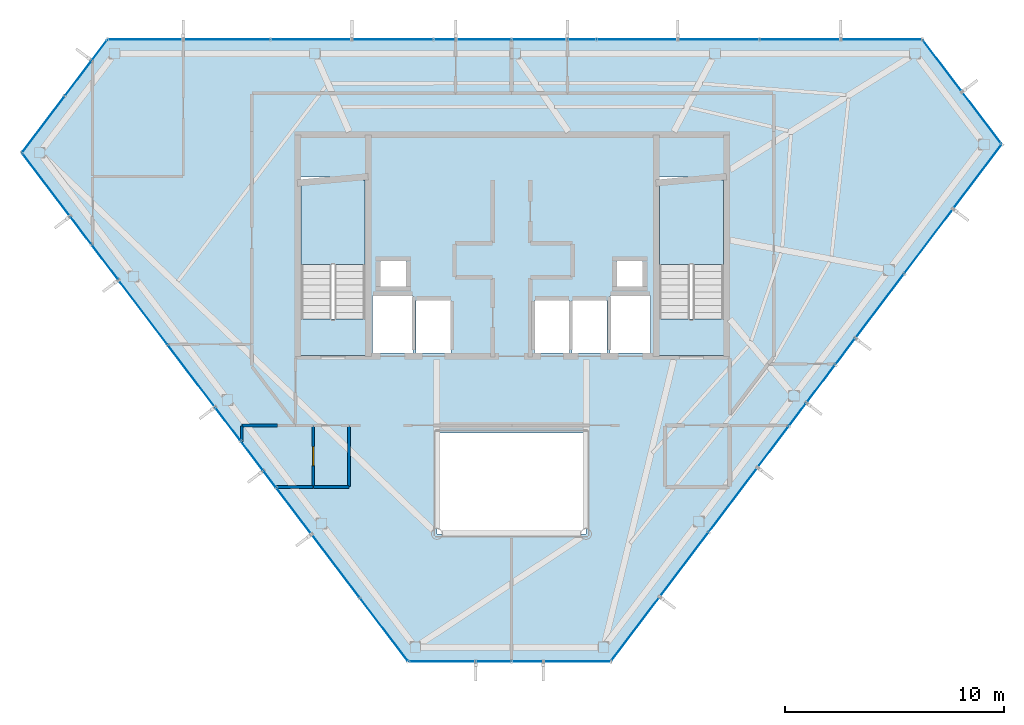
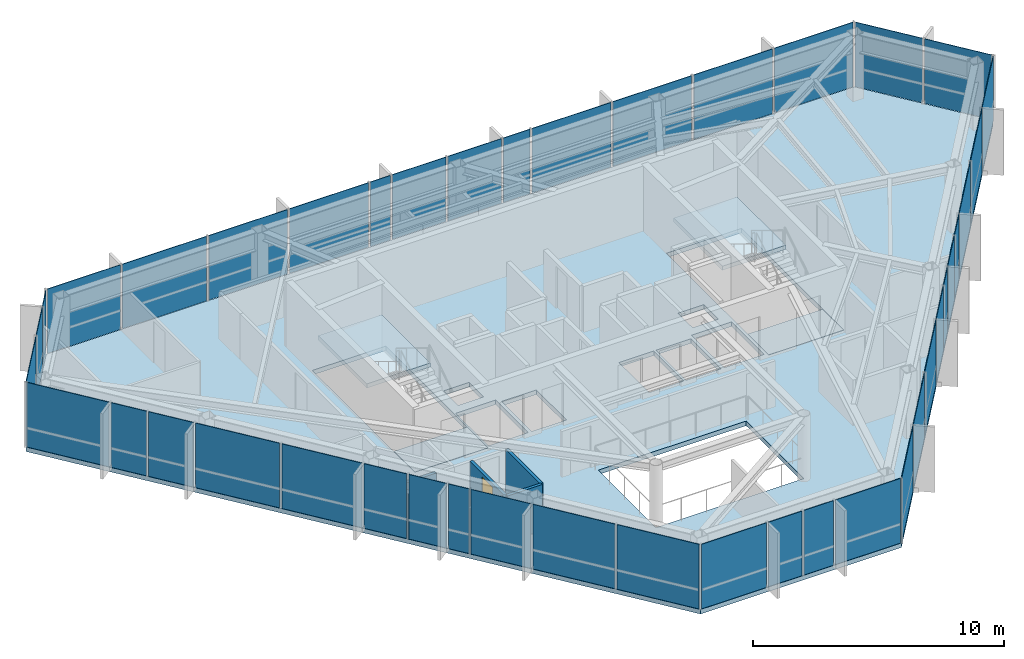
# One storey, part 20 of 24: 42 plates, 6 walls, 5 slabs, 1 door, 1 opening, 8 elements without a shape of their own.
"""IFC4 building model written with IfcOpenShell, lengths in metres."""

from ifc_helpers import new_model, si_unit, direction, frame, frame_2d, origin, origin_2d, place, context, subcontext, project, spatial, polyline, rectangle, outline, extrude, material, layer, layer_set, type_object, element, fill, aggregate, save


model = new_model("IFC4")

# Units and contexts
model_context = context("Model", 3, precision=1e-05, world=origin(), true_north=direction((0.0, 1.0)))
body_context = subcontext(model_context, "Body", "Model", "MODEL_VIEW")
ifc_project = project(units=[si_unit("LENGTHUNIT", "METRE"), si_unit("AREAUNIT", "SQUARE_METRE"), si_unit("VOLUMEUNIT", "CUBIC_METRE"), si_unit("PLANEANGLEUNIT", "RADIAN"), si_unit("MASSUNIT", "GRAM", prefix="KILO")], contexts=[model_context])

# Site, building, storey
site_placement = place(None, origin())
site = spatial("IfcSite", under=ifc_project, at=site_placement, CompositionType="ELEMENT")
building_placement = place(site_placement, origin())
building = spatial("IfcBuilding", under=site, at=building_placement, Name="Zarrinselat Tower", CompositionType="ELEMENT")
storey_placement = place(building_placement, frame((0.0, 0.0, 272.0)))
storey = spatial("IfcBuildingStorey", under=building, at=storey_placement, Name="L69", CompositionType="ELEMENT", Elevation=272.0)

# Curtain wall, plates
ifc_material_1 = material(Name="Extruded Aluminium Alloy EN AW-6063 T6", Category="aluminium")
ifc_layer_1 = layer(ifc_material_1, 0.169921875)
ifc_layer_set_1 = layer_set([ifc_layer_1], Name="Extruded Aluminium Alloy EN AW-6063 T6")
curtain_wall_type_1 = type_object("IfcCurtainWallType", Name="CWS-RES", PredefinedType="NOTDEFINED", material=ifc_layer_set_1)
curtain_wall_1_placement = place(storey_placement, origin())
curtain_wall_1 = element("IfcCurtainWall", 1, at=curtain_wall_1_placement, inside=storey, type_object=curtain_wall_type_1, Name="L69 Unitised Curtain Wall CW-L69-E01", PredefinedType="NOTDEFINED")
ifc_material_2 = material(Name="Double Low-E Laminated Solar Glass", Category="glass")
ifc_layer_2 = layer(ifc_material_2, 0.028076171875)
ifc_layer_set_2 = layer_set([ifc_layer_2], Name="Double Low-E Laminated Solar Glass")
plate_type = type_object("IfcPlateType", Name="PLT-CW-GL28", PredefinedType="CURTAIN_PANEL", material=ifc_layer_set_2)
plate_1_placement = place(storey_placement, frame((55.26904296875, 47.75, 0.02001953125), z_axis=(0.0, 0.0, 1.0), x_axis=(-1.0, 0.0, 0.0)))
plate_1 = element("IfcPlate", 2, at=plate_1_placement, type_object=plate_type, Name="CW-L69-E01 Vision Glass Panel 1", PredefinedType="CURTAIN_PANEL", context=body_context, shape_type="SweptSolid", body=[
    extrude(rectangle(XDim=3.6142578125, YDim=0.028076171875, at=origin_2d()), origin(), (0.0, 0.0, 1.0), 3.139892578125),
])
plate_2_placement = place(storey_placement, frame((51.5546875, 47.75, 0.02001953125), z_axis=(0.0, 0.0, 1.0), x_axis=(-1.0, 0.0, 0.0)))
plate_2 = element("IfcPlate", 3, at=plate_2_placement, type_object=plate_type, Name="CW-L69-E01 Vision Glass Panel 2", PredefinedType="CURTAIN_PANEL", context=body_context, shape_type="SweptSolid", body=[
    extrude(rectangle(XDim=3.6142578125, YDim=0.028076171875, at=origin_2d()), origin(), (0.0, 0.0, 1.0), 3.139892578125),
])
plate_3_placement = place(storey_placement, frame((47.840576171875, 47.75, 0.02001953125), z_axis=(0.0, 0.0, 1.0), x_axis=(-1.0, 0.0, 0.0)))
plate_3 = element("IfcPlate", 4, at=plate_3_placement, type_object=plate_type, Name="CW-L69-E01 Vision Glass Panel 3", PredefinedType="CURTAIN_PANEL", context=body_context, shape_type="SweptSolid", body=[
    extrude(rectangle(XDim=3.6142578125, YDim=0.028076171875, at=origin_2d()), origin(), (0.0, 0.0, 1.0), 3.139892578125),
])
plate_4_placement = place(storey_placement, frame((44.12646484375, 47.75, 0.02001953125), z_axis=(0.0, 0.0, 1.0), x_axis=(-1.0, 0.0, 0.0)))
plate_4 = element("IfcPlate", 5, at=plate_4_placement, type_object=plate_type, Name="CW-L69-E01 Vision Glass Panel 4", PredefinedType="CURTAIN_PANEL", context=body_context, shape_type="SweptSolid", body=[
    extrude(rectangle(XDim=3.6142578125, YDim=0.028076171875, at=origin_2d()), origin(), (0.0, 0.0, 1.0), 3.139892578125),
])
plate_5_placement = place(storey_placement, frame((41.609619140625, 47.75, 0.02001953125), z_axis=(0.0, 0.0, 1.0), x_axis=(-1.0, 0.0, 0.0)))
plate_5 = element("IfcPlate", 6, at=plate_5_placement, type_object=plate_type, Name="CW-L69-E01 Vision Glass Panel 5", PredefinedType="CURTAIN_PANEL", context=body_context, shape_type="SweptSolid", body=[
    extrude(rectangle(XDim=1.21923828125, YDim=0.028076171875, at=origin_2d()), origin(), (0.0, 0.0, 1.0), 3.139892578125),
])
plate_6_placement = place(storey_placement, frame((39.675048828125, 47.75, 0.02001953125), z_axis=(0.0, 0.0, 1.0), x_axis=(-1.0, 0.0, 0.0)))
plate_6 = element("IfcPlate", 7, at=plate_6_placement, type_object=plate_type, Name="CW-L69-E01 Vision Glass Panel 6", PredefinedType="CURTAIN_PANEL", context=body_context, shape_type="SweptSolid", body=[
    extrude(rectangle(XDim=2.449951171875, YDim=0.028076171875, at=origin_2d()), origin(), (0.0, 0.0, 1.0), 3.139892578125),
])
plate_7_placement = place(storey_placement, frame((37.125, 47.75, 0.02001953125), z_axis=(0.0, 0.0, 1.0), x_axis=(-1.0, 0.0, 0.0)))
plate_7 = element("IfcPlate", 8, at=plate_7_placement, type_object=plate_type, Name="CW-L69-E01 Vision Glass Panel 7", PredefinedType="CURTAIN_PANEL", context=body_context, shape_type="SweptSolid", body=[
    extrude(rectangle(XDim=2.449951171875, YDim=0.028076171875, at=origin_2d()), origin(), (0.0, 0.0, 1.0), 3.139892578125),
])
plate_8_placement = place(storey_placement, frame((35.345458984375, 47.75, 0.02001953125), z_axis=(0.0, 0.0, 1.0), x_axis=(-1.0, 0.0, 0.0)))
plate_8 = element("IfcPlate", 9, at=plate_8_placement, type_object=plate_type, Name="CW-L69-E01 Vision Glass Panel 8", PredefinedType="CURTAIN_PANEL", context=body_context, shape_type="SweptSolid", body=[
    extrude(rectangle(XDim=0.9091796875, YDim=0.028076171875, at=origin_2d()), origin(), (0.0, 0.0, 1.0), 3.139892578125),
])
plate_9_placement = place(storey_placement, frame((32.983642578125, 47.75, 0.02001953125), z_axis=(0.0, 0.0, 1.0), x_axis=(-1.0, 0.0, 0.0)))
plate_9 = element("IfcPlate", 10, at=plate_9_placement, type_object=plate_type, Name="CW-L69-E01 Vision Glass Panel 9", PredefinedType="CURTAIN_PANEL", context=body_context, shape_type="SweptSolid", body=[
    extrude(rectangle(XDim=3.6142578125, YDim=0.028076171875, at=origin_2d()), origin(), (0.0, 0.0, 1.0), 3.139892578125),
])
plate_10_placement = place(storey_placement, frame((29.269287109375, 47.75, 0.02001953125), z_axis=(0.0, 0.0, 1.0), x_axis=(-1.0, 0.0, 0.0)))
plate_10 = element("IfcPlate", 11, at=plate_10_placement, type_object=plate_type, Name="CW-L69-E01 Vision Glass Panel 10", PredefinedType="CURTAIN_PANEL", context=body_context, shape_type="SweptSolid", body=[
    extrude(rectangle(XDim=3.6142578125, YDim=0.028076171875, at=origin_2d()), origin(), (0.0, 0.0, 1.0), 3.139892578125),
])
plate_11_placement = place(storey_placement, frame((25.42578125, 47.75, 0.02001953125), z_axis=(0.0, 0.0, 1.0), x_axis=(-1.0, 0.0, 0.0)))
plate_11 = element("IfcPlate", 12, at=plate_11_placement, type_object=plate_type, Name="CW-L69-E01 Vision Glass Panel 11", PredefinedType="CURTAIN_PANEL", context=body_context, shape_type="SweptSolid", body=[
    extrude(rectangle(XDim=3.873046875, YDim=0.028076171875, at=origin_2d()), origin(), (0.0, 0.0, 1.0), 3.139892578125),
])
plate_12_placement = place(storey_placement, frame((21.71142578125, 47.75, 0.02001953125), z_axis=(0.0, 0.0, 1.0), x_axis=(-1.0, 0.0, 0.0)))
plate_12 = element("IfcPlate", 13, at=plate_12_placement, type_object=plate_type, Name="CW-L69-E01 Vision Glass Panel 12", PredefinedType="CURTAIN_PANEL", context=body_context, shape_type="SweptSolid", body=[
    extrude(rectangle(XDim=3.35546875, YDim=0.028076171875, at=origin_2d()), origin(), (0.0, 0.0, 1.0), 3.139892578125),
])
aggregate(curtain_wall_1, [plate_1, plate_2, plate_3, plate_4, plate_5, plate_6, plate_7, plate_8, plate_9, plate_10, plate_11, plate_12])

curtain_wall_2_placement = place(storey_placement, origin())
curtain_wall_2 = element("IfcCurtainWall", 14, at=curtain_wall_2_placement, inside=storey, type_object=curtain_wall_type_1, Name="L69 Unitised Curtain Wall CW-L69-E02", PredefinedType="NOTDEFINED")
plate_13_placement = place(storey_placement, frame((19.619140625, 47.267822265625, 0.02001953125), z_axis=(0.0, 0.0, 1.0), x_axis=(-0.603180355329, -0.797604826305, 0.0)))
plate_13 = element("IfcPlate", 15, at=plate_13_placement, type_object=plate_type, Name="CW-L69-E02 Vision Glass Panel 1", PredefinedType="CURTAIN_PANEL", context=body_context, shape_type="SweptSolid", body=[
    extrude(rectangle(XDim=1.109130859375, YDim=0.028076171875, at=origin_2d()), origin(), (0.0, 0.0, 1.0), 3.139892578125),
])
plate_14_placement = place(storey_placement, frame((18.64208984375, 45.9755859375, 0.02001953125), z_axis=(0.0, 0.0, 1.0), x_axis=(-0.603180355329, -0.797604826305, 0.0)))
plate_14 = element("IfcPlate", 16, at=plate_14_placement, type_object=plate_type, Name="CW-L69-E02 Vision Glass Panel 2", PredefinedType="CURTAIN_PANEL", context=body_context, shape_type="SweptSolid", body=[
    extrude(rectangle(XDim=1.930908203125, YDim=0.028076171875, at=origin_2d()), origin(), (0.0, 0.0, 1.0), 3.139892578125),
])
plate_15_placement = place(storey_placement, frame((17.05224609375, 43.87353515625, 0.02001953125), z_axis=(0.0, 0.0, 1.0), x_axis=(-0.603180355329, -0.797604826305, 0.0)))
plate_15 = element("IfcPlate", 17, at=plate_15_placement, type_object=plate_type, Name="CW-L69-E02 Vision Glass Panel 3", PredefinedType="CURTAIN_PANEL", context=body_context, shape_type="SweptSolid", body=[
    extrude(rectangle(XDim=3.14013671875, YDim=0.028076171875, at=origin_2d()), origin(), (0.0, 0.0, 1.0), 3.139892578125),
])
aggregate(curtain_wall_2, [plate_13, plate_14, plate_15])

curtain_wall_3_placement = place(storey_placement, origin())
curtain_wall_3 = element("IfcCurtainWall", 18, at=curtain_wall_3_placement, inside=storey, type_object=curtain_wall_type_1, Name="L69 Unitised Curtain Wall CW-L69-E03", PredefinedType="NOTDEFINED")
plate_16_placement = place(storey_placement, frame((17.17578125, 41.1318359375, 0.02001953125), z_axis=(0.0, 0.0, 1.0), x_axis=(0.604787567266, -0.796386839721, 0.0)))
plate_16 = element("IfcPlate", 19, at=plate_16_placement, type_object=plate_type, Name="CW-L69-E03 Vision Glass Panel 1", PredefinedType="CURTAIN_PANEL", context=body_context, shape_type="SweptSolid", body=[
    extrude(rectangle(XDim=3.540283203125, YDim=0.028076171875, at=origin_2d()), origin(), (0.0, 0.0, 1.0), 3.139892578125),
])
plate_17_placement = place(storey_placement, frame((18.765625, 39.03857421875, 0.02001953125), z_axis=(0.0, 0.0, 1.0), x_axis=(0.604787567266, -0.796386839721, 0.0)))
plate_17 = element("IfcPlate", 20, at=plate_17_placement, type_object=plate_type, Name="CW-L69-E03 Vision Glass Panel 2", PredefinedType="CURTAIN_PANEL", context=body_context, shape_type="SweptSolid", body=[
    extrude(rectangle(XDim=1.5166015625, YDim=0.028076171875, at=origin_2d()), origin(), (0.0, 0.0, 1.0), 3.139892578125),
])
plate_18_placement = place(storey_placement, frame((19.866455078125, 37.5888671875, 0.02001953125), z_axis=(0.0, 0.0, 1.0), x_axis=(0.604787567266, -0.796386839721, 0.0)))
plate_18 = element("IfcPlate", 21, at=plate_18_placement, type_object=plate_type, Name="CW-L69-E03 Vision Glass Panel 3", PredefinedType="CURTAIN_PANEL", context=body_context, shape_type="SweptSolid", body=[
    extrude(rectangle(XDim=1.923583984375, YDim=0.028076171875, at=origin_2d()), origin(), (0.0, 0.0, 1.0), 3.139892578125),
])
plate_19_placement = place(storey_placement, frame((21.605712890625, 35.298583984375, 0.02001953125), z_axis=(0.0, 0.0, 1.0), x_axis=(0.604787567266, -0.796386839721, 0.0)))
plate_19 = element("IfcPlate", 22, at=plate_19_placement, type_object=plate_type, Name="CW-L69-E03 Vision Glass Panel 4", PredefinedType="CURTAIN_PANEL", context=body_context, shape_type="SweptSolid", body=[
    extrude(rectangle(XDim=3.628173828125, YDim=0.028076171875, at=origin_2d()), origin(), (0.0, 0.0, 1.0), 3.139892578125),
])
plate_20_placement = place(storey_placement, frame((23.8076171875, 32.3994140625, 0.02001953125), z_axis=(0.0, 0.0, 1.0), x_axis=(0.604787567266, -0.796386839721, 0.0)))
plate_20 = element("IfcPlate", 23, at=plate_20_placement, type_object=plate_type, Name="CW-L69-E03 Vision Glass Panel 5", PredefinedType="CURTAIN_PANEL", context=body_context, shape_type="SweptSolid", body=[
    extrude(rectangle(XDim=3.45263671875, YDim=0.028076171875, at=origin_2d()), origin(), (0.0, 0.0, 1.0), 3.139892578125),
])
plate_21_placement = place(storey_placement, frame((25.467041015625, 30.214111328125, 0.02001953125), z_axis=(0.0, 0.0, 1.0), x_axis=(0.604787567266, -0.796386839721, 0.0)))
plate_21 = element("IfcPlate", 24, at=plate_21_placement, type_object=plate_type, Name="CW-L69-E03 Vision Glass Panel 6", PredefinedType="CURTAIN_PANEL", context=body_context, shape_type="SweptSolid", body=[
    extrude(rectangle(XDim=1.835205078125, YDim=0.028076171875, at=origin_2d()), origin(), (0.0, 0.0, 1.0), 3.139892578125),
])
plate_22_placement = place(storey_placement, frame((26.56787109375, 28.764404296875, 0.02001953125), z_axis=(0.0, 0.0, 1.0), x_axis=(0.604787567266, -0.796386839721, 0.0)))
plate_22 = element("IfcPlate", 25, at=plate_22_placement, type_object=plate_type, Name="CW-L69-E03 Vision Glass Panel 7", PredefinedType="CURTAIN_PANEL", context=body_context, shape_type="SweptSolid", body=[
    extrude(rectangle(XDim=1.605224609375, YDim=0.028076171875, at=origin_2d()), origin(), (0.0, 0.0, 1.0), 3.139892578125),
])
plate_23_placement = place(storey_placement, frame((27.37890625, 27.696533203125, 0.02001953125), z_axis=(0.0, 0.0, 1.0), x_axis=(0.604787567266, -0.796386839721, 0.0)))
plate_23 = element("IfcPlate", 26, at=plate_23_placement, type_object=plate_type, Name="CW-L69-E03 Vision Glass Panel 8", PredefinedType="CURTAIN_PANEL", context=body_context, shape_type="SweptSolid", body=[
    extrude(rectangle(XDim=0.876708984375, YDim=0.028076171875, at=origin_2d()), origin(), (0.0, 0.0, 1.0), 3.139892578125),
])
plate_24_placement = place(storey_placement, frame((28.479736328125, 26.2470703125, 0.02001953125), z_axis=(0.0, 0.0, 1.0), x_axis=(0.604787567266, -0.796386839721, 0.0)))
plate_24 = element("IfcPlate", 27, at=plate_24_placement, type_object=plate_type, Name="CW-L69-E03 Vision Glass Panel 9", PredefinedType="CURTAIN_PANEL", context=body_context, shape_type="SweptSolid", body=[
    extrude(rectangle(XDim=2.563720703125, YDim=0.028076171875, at=origin_2d()), origin(), (0.0, 0.0, 1.0), 3.139892578125),
])
plate_25_placement = place(storey_placement, frame((30.385986328125, 23.73681640625, 0.02001953125), z_axis=(0.0, 0.0, 1.0), x_axis=(0.604787567266, -0.796386839721, 0.0)))
plate_25 = element("IfcPlate", 28, at=plate_25_placement, type_object=plate_type, Name="CW-L69-E03 Vision Glass Panel 10", PredefinedType="CURTAIN_PANEL", context=body_context, shape_type="SweptSolid", body=[
    extrude(rectangle(XDim=3.540283203125, YDim=0.028076171875, at=origin_2d()), origin(), (0.0, 0.0, 1.0), 3.139892578125),
])
plate_26_placement = place(storey_placement, frame((32.587646484375, 20.837646484375, 0.02001953125), z_axis=(0.0, 0.0, 1.0), x_axis=(0.604787567266, -0.796386839721, 0.0)))
plate_26 = element("IfcPlate", 29, at=plate_26_placement, type_object=plate_type, Name="CW-L69-E03 Vision Glass Panel 11", PredefinedType="CURTAIN_PANEL", context=body_context, shape_type="SweptSolid", body=[
    extrude(rectangle(XDim=3.540283203125, YDim=0.028076171875, at=origin_2d()), origin(), (0.0, 0.0, 1.0), 3.139892578125),
])
aggregate(curtain_wall_3, [plate_16, plate_17, plate_18, plate_19, plate_20, plate_21, plate_22, plate_23, plate_24, plate_25, plate_26])

curtain_wall_4_placement = place(storey_placement, origin())
curtain_wall_4 = element("IfcCurtainWall", 30, at=curtain_wall_4_placement, inside=storey, type_object=curtain_wall_type_1, Name="L69 Unitised Curtain Wall CW-L69-E04", PredefinedType="NOTDEFINED")
plate_27_placement = place(storey_placement, frame((35.228271484375, 19.387939453125, 0.02001953125), z_axis=(0.0, 0.0, 1.0), x_axis=(1.0, 0.0, 0.0)))
plate_27 = element("IfcPlate", 31, at=plate_27_placement, type_object=plate_type, Name="CW-L69-E04 Vision Glass Panel 1", PredefinedType="CURTAIN_PANEL", context=body_context, shape_type="SweptSolid", body=[
    extrude(rectangle(XDim=2.9794921875, YDim=0.028076171875, at=origin_2d()), origin(), (0.0, 0.0, 1.0), 3.139892578125),
])
plate_28_placement = place(storey_placement, frame((37.583984375, 19.387939453125, 0.02001953125), z_axis=(0.0, 0.0, 1.0), x_axis=(1.0, 0.0, 0.0)))
plate_28 = element("IfcPlate", 32, at=plate_28_placement, type_object=plate_type, Name="CW-L69-E04 Vision Glass Panel 2", PredefinedType="CURTAIN_PANEL", context=body_context, shape_type="SweptSolid", body=[
    extrude(rectangle(XDim=1.531982421875, YDim=0.028076171875, at=origin_2d()), origin(), (0.0, 0.0, 1.0), 3.139892578125),
])
plate_29_placement = place(storey_placement, frame((39.123779296875, 19.387939453125, 0.02001953125), z_axis=(0.0, 0.0, 1.0), x_axis=(1.0, 0.0, 0.0)))
plate_29 = element("IfcPlate", 33, at=plate_29_placement, type_object=plate_type, Name="CW-L69-E04 Vision Glass Panel 3", PredefinedType="CURTAIN_PANEL", context=body_context, shape_type="SweptSolid", body=[
    extrude(rectangle(XDim=1.34765625, YDim=0.028076171875, at=origin_2d()), origin(), (0.0, 0.0, 1.0), 3.139892578125),
])
plate_30_placement = place(storey_placement, frame((41.38720703125, 19.387939453125, 0.02001953125), z_axis=(0.0, 0.0, 1.0), x_axis=(1.0, 0.0, 0.0)))
plate_30 = element("IfcPlate", 34, at=plate_30_placement, type_object=plate_type, Name="CW-L69-E04 Vision Glass Panel 4", PredefinedType="CURTAIN_PANEL", context=body_context, shape_type="SweptSolid", body=[
    extrude(rectangle(XDim=2.9794921875, YDim=0.028076171875, at=origin_2d()), origin(), (0.0, 0.0, 1.0), 3.139892578125),
])
aggregate(curtain_wall_4, [plate_27, plate_28, plate_29, plate_30])

ifc_material_3 = material(Name="Extruded Aluminium Alloy EN AW-6063 T6", Category="aluminium")
ifc_layer_3 = layer(ifc_material_3, 0.199951171875)
ifc_layer_set_3 = layer_set([ifc_layer_3], Name="Extruded Aluminium Alloy EN AW-6063 T6")
curtain_wall_type_2 = type_object("IfcCurtainWallType", Name="CWS-BLADE", PredefinedType="NOTDEFINED", material=ifc_layer_set_3)
curtain_wall_5_placement = place(storey_placement, origin())
curtain_wall_5 = element("IfcCurtainWall", 35, at=curtain_wall_5_placement, inside=storey, type_object=curtain_wall_type_2, Name="L69 Unitised Curtain Wall CW-L69-E05", PredefinedType="NOTDEFINED")
plate_31_placement = place(storey_placement, frame((44.04150390625, 20.86181640625, 0.02001953125), z_axis=(0.0, 0.0, 1.0), x_axis=(0.603169586453, 0.797612970041, 0.0)))
plate_31 = element("IfcPlate", 36, at=plate_31_placement, type_object=plate_type, Name="CW-L69-E05 Vision Glass Panel 1", PredefinedType="CURTAIN_PANEL", context=body_context, shape_type="SweptSolid", body=[
    extrude(rectangle(XDim=3.59521484375, YDim=0.028076171875, at=origin_2d()), origin(), (0.0, 0.0, 1.0), 3.139892578125),
])
plate_32_placement = place(storey_placement, frame((46.2705078125, 23.80908203125, 0.02001953125), z_axis=(0.0, 0.0, 1.0), x_axis=(0.603169586453, 0.797612970041, 0.0)))
plate_32 = element("IfcPlate", 37, at=plate_32_placement, type_object=plate_type, Name="CW-L69-E05 Vision Glass Panel 2", PredefinedType="CURTAIN_PANEL", context=body_context, shape_type="SweptSolid", body=[
    extrude(rectangle(XDim=3.59521484375, YDim=0.028076171875, at=origin_2d()), origin(), (0.0, 0.0, 1.0), 3.139892578125),
])
plate_33_placement = place(storey_placement, frame((48.499267578125, 26.756591796875, 0.02001953125), z_axis=(0.0, 0.0, 1.0), x_axis=(0.603169586453, 0.797612970041, 0.0)))
plate_33 = element("IfcPlate", 38, at=plate_33_placement, type_object=plate_type, Name="CW-L69-E05 Vision Glass Panel 3", PredefinedType="CURTAIN_PANEL", context=body_context, shape_type="SweptSolid", body=[
    extrude(rectangle(XDim=3.59521484375, YDim=0.028076171875, at=origin_2d()), origin(), (0.0, 0.0, 1.0), 3.139892578125),
])
plate_34_placement = place(storey_placement, frame((50.325927734375, 29.172119140625, 0.02001953125), z_axis=(0.0, 0.0, 1.0), x_axis=(0.603169586453, 0.797612970041, 0.0)))
plate_34 = element("IfcPlate", 39, at=plate_34_placement, type_object=plate_type, Name="CW-L69-E05 Vision Glass Panel 4", PredefinedType="CURTAIN_PANEL", context=body_context, shape_type="SweptSolid", body=[
    extrude(rectangle(XDim=2.261474609375, YDim=0.028076171875, at=origin_2d()), origin(), (0.0, 0.0, 1.0), 3.139892578125),
])
plate_35_placement = place(storey_placement, frame((51.4404296875, 30.645751953125, 0.02001953125), z_axis=(0.0, 0.0, 1.0), x_axis=(0.603169586453, 0.797612970041, 0.0)))
plate_35 = element("IfcPlate", 40, at=plate_35_placement, type_object=plate_type, Name="CW-L69-E05 Vision Glass Panel 5", PredefinedType="CURTAIN_PANEL", context=body_context, shape_type="SweptSolid", body=[
    extrude(rectangle(XDim=1.23388671875, YDim=0.028076171875, at=origin_2d()), origin(), (0.0, 0.0, 1.0), 3.139892578125),
])
plate_36_placement = place(storey_placement, frame((52.50146484375, 32.048828125, 0.02001953125), z_axis=(0.0, 0.0, 1.0), x_axis=(0.603169586453, 0.797612970041, 0.0)))
plate_36 = element("IfcPlate", 41, at=plate_36_placement, type_object=plate_type, Name="CW-L69-E05 Vision Glass Panel 6", PredefinedType="CURTAIN_PANEL", context=body_context, shape_type="SweptSolid", body=[
    extrude(rectangle(XDim=2.084716796875, YDim=0.028076171875, at=origin_2d()), origin(), (0.0, 0.0, 1.0), 3.139892578125),
])
plate_37_placement = place(storey_placement, frame((53.615966796875, 33.522705078125, 0.02001953125), z_axis=(0.0, 0.0, 1.0), x_axis=(0.603169586453, 0.797612970041, 0.0)))
plate_37 = element("IfcPlate", 42, at=plate_37_placement, type_object=plate_type, Name="CW-L69-E05 Vision Glass Panel 7", PredefinedType="CURTAIN_PANEL", context=body_context, shape_type="SweptSolid", body=[
    extrude(rectangle(XDim=1.41064453125, YDim=0.028076171875, at=origin_2d()), origin(), (0.0, 0.0, 1.0), 3.139892578125),
])
plate_38_placement = place(storey_placement, frame((55.18603515625, 35.598876953125, 0.02001953125), z_axis=(0.0, 0.0, 1.0), x_axis=(0.603169586453, 0.797612970041, 0.0)))
plate_38 = element("IfcPlate", 43, at=plate_38_placement, type_object=plate_type, Name="CW-L69-E05 Vision Glass Panel 8", PredefinedType="CURTAIN_PANEL", context=body_context, shape_type="SweptSolid", body=[
    extrude(rectangle(XDim=3.59521484375, YDim=0.028076171875, at=origin_2d()), origin(), (0.0, 0.0, 1.0), 3.139892578125),
])
plate_39_placement = place(storey_placement, frame((57.414794921875, 38.546142578125, 0.02001953125), z_axis=(0.0, 0.0, 1.0), x_axis=(0.603169586453, 0.797612970041, 0.0)))
plate_39 = element("IfcPlate", 44, at=plate_39_placement, type_object=plate_type, Name="CW-L69-E05 Vision Glass Panel 9", PredefinedType="CURTAIN_PANEL", context=body_context, shape_type="SweptSolid", body=[
    extrude(rectangle(XDim=3.59521484375, YDim=0.028076171875, at=origin_2d()), origin(), (0.0, 0.0, 1.0), 3.139892578125),
])
plate_40_placement = place(storey_placement, frame((59.643798828125, 41.49365234375, 0.02001953125), z_axis=(0.0, 0.0, 1.0), x_axis=(0.603169586453, 0.797612970041, 0.0)))
plate_40 = element("IfcPlate", 45, at=plate_40_placement, type_object=plate_type, Name="CW-L69-E05 Vision Glass Panel 10", PredefinedType="CURTAIN_PANEL", context=body_context, shape_type="SweptSolid", body=[
    extrude(rectangle(XDim=3.59521484375, YDim=0.028076171875, at=origin_2d()), origin(), (0.0, 0.0, 1.0), 3.139892578125),
])
aggregate(curtain_wall_5, [plate_31, plate_32, plate_33, plate_34, plate_35, plate_36, plate_37, plate_38, plate_39, plate_40])

curtain_wall_6_placement = place(storey_placement, origin())
curtain_wall_6 = element("IfcCurtainWall", 46, at=curtain_wall_6_placement, inside=storey, type_object=curtain_wall_type_1, Name="L69 Unitised Curtain Wall CW-L69-E06", PredefinedType="NOTDEFINED")
plate_41_placement = place(storey_placement, frame((59.85009765625, 44.1630859375, 0.02001953125), z_axis=(0.0, 0.0, 1.0), x_axis=(-0.604782197055, 0.796390917907, 0.0)))
plate_41 = element("IfcPlate", 47, at=plate_41_placement, type_object=plate_type, Name="CW-L69-E06 Vision Glass Panel 1", PredefinedType="CURTAIN_PANEL", context=body_context, shape_type="SweptSolid", body=[
    extrude(rectangle(XDim=2.902587890625, YDim=0.028076171875, at=origin_2d()), origin(), (0.0, 0.0, 1.0), 3.139892578125),
])
plate_42_placement = place(storey_placement, frame((58.0341796875, 46.55419921875, 0.02001953125), z_axis=(0.0, 0.0, 1.0), x_axis=(-0.604782197055, 0.796390917907, 0.0)))
plate_42 = element("IfcPlate", 48, at=plate_42_placement, type_object=plate_type, Name="CW-L69-E06 Vision Glass Panel 2", PredefinedType="CURTAIN_PANEL", context=body_context, shape_type="SweptSolid", body=[
    extrude(rectangle(XDim=2.902587890625, YDim=0.028076171875, at=origin_2d()), origin(), (0.0, 0.0, 1.0), 3.139892578125),
])
aggregate(curtain_wall_6, [plate_41, plate_42])

# Slabs
ifc_material_4 = material(Name="Concrete C40/50", Category="concrete")
ifc_layer_4 = layer(ifc_material_4, 0.219970703125)
ifc_layer_set_4 = layer_set([ifc_layer_4], Name="Concrete C40/50")
slab_type_1 = type_object("IfcSlabType", Name="SLB-FLOOR-220-SL-RS220", PredefinedType="FLOOR", material=ifc_layer_set_4)
slab_1_placement = place(storey_placement, frame((0.0, 0.0, -0.219970703125)))
element("IfcSlab", 49, at=slab_1_placement, inside=storey, type_object=slab_type_1, Name="L69 Primary Structural Slab", PredefinedType="FLOOR", context=body_context, shape_type="SweptSolid", body=[
    extrude(outline(polyline([(57.126220703125, 47.75), (19.98388671875, 47.75), (16.0751953125, 42.581298828125), (33.6884765625, 19.387939453125), (42.927001953125, 19.387939453125), (60.75830078125, 42.96728515625), (57.126220703125, 47.75)]), holes=[polyline([(41.800048828125, 25.199951171875), (35.0, 25.199951171875), (35.0, 29.800048828125), (41.800048828125, 29.800048828125), (41.800048828125, 25.199951171875)]), polyline([(35.64990234375, 33.449951171875), (34.050048828125, 33.449951171875), (34.050048828125, 35.85009765625), (35.64990234375, 35.85009765625), (35.64990234375, 33.449951171875)]), polyline([(41.050048828125, 33.449951171875), (39.449951171875, 33.449951171875), (39.449951171875, 35.85009765625), (41.050048828125, 35.85009765625), (41.050048828125, 33.449951171875)]), polyline([(41.14990234375, 33.449951171875), (41.14990234375, 35.85009765625), (42.75, 35.85009765625), (42.75, 33.449951171875), (41.14990234375, 33.449951171875)]), polyline([(32.06005859375, 33.449951171875), (32.06005859375, 36.050048828125), (33.89990234375, 36.050048828125), (33.89990234375, 33.449951171875), (32.06005859375, 33.449951171875)]), polyline([(44.739990234375, 33.449951171875), (42.89990234375, 33.449951171875), (42.89990234375, 36.050048828125), (44.739990234375, 36.050048828125), (44.739990234375, 33.449951171875)]), polyline([(33.60009765625, 36.47998046875), (32.419921875, 36.47998046875), (32.419921875, 37.639892578125), (33.60009765625, 37.639892578125), (33.60009765625, 36.47998046875)]), polyline([(44.3798828125, 36.47998046875), (43.199951171875, 36.47998046875), (43.199951171875, 37.639892578125), (44.3798828125, 37.639892578125), (44.3798828125, 36.47998046875)]), polyline([(31.985107421875, 33.324951171875), (28.60498046875, 33.324951171875), (28.60498046875, 41.47509765625), (31.985107421875, 41.47509765625), (31.985107421875, 33.324951171875)]), polyline([(48.324951171875, 33.324951171875), (44.875, 33.324951171875), (44.875, 41.47509765625), (48.324951171875, 41.47509765625), (48.324951171875, 33.324951171875)])]), origin(), (0.0, 0.0, 1.0), 0.219970703125),
])
slab_2_placement = place(storey_placement, frame((0.0, 0.0, -0.219970703125)))
element("IfcSlab", 50, at=slab_2_placement, inside=storey, type_object=slab_type_1, Name="L69 Stair ST-1-FL1 Structural Floor Landing", PredefinedType="FLOOR", context=body_context, shape_type="SweptSolid", body=[
    extrude(outline(polyline([(31.97998046875, 33.330078125), (31.97998046875, 35.0), (28.610107421875, 35.0), (28.610107421875, 33.330078125), (31.97998046875, 33.330078125)])), origin(), (0.0, 0.0, 1.0), 0.219970703125),
])
slab_3_placement = place(storey_placement, frame((0.0, 0.0, -0.219970703125)))
element("IfcSlab", 51, at=slab_3_placement, inside=storey, type_object=slab_type_1, Name="L69 Stair ST-2-FL1 Structural Floor Landing", PredefinedType="FLOOR", context=body_context, shape_type="SweptSolid", body=[
    extrude(outline(polyline([(48.320068359375, 33.330078125), (48.320068359375, 35.0), (44.8798828125, 35.0), (44.8798828125, 33.330078125), (48.320068359375, 33.330078125)])), origin(), (0.0, 0.0, 1.0), 0.219970703125),
])

# Stair, slab
ifc_material_5 = material(Name="Concrete C40/50", Category="concrete")
stair_type = type_object("IfcStairType", Name="STR-CORE-155", PredefinedType="HALF_TURN_STAIR", material=ifc_material_5)
stair_1_placement = place(storey_placement, origin())
stair_1 = element("IfcStair", 52, at=stair_1_placement, inside=storey, type_object=stair_type, Name="L69 Core Exit Stair 1", PredefinedType="HALF_TURN_STAIR")
ifc_material_6 = material(Name="Concrete C40/50", Category="concrete")
ifc_layer_5 = layer(ifc_material_6, 0.18994140625)
ifc_layer_set_5 = layer_set([ifc_layer_5], Name="Concrete C40/50")
slab_type_2 = type_object("IfcSlabType", Name="SLB-LND-190", PredefinedType="LANDING", material=ifc_layer_set_5)
slab_4_placement = place(storey_placement, frame((0.0, 0.0, 1.5)))
slab_4 = element("IfcSlab", 53, at=slab_4_placement, type_object=slab_type_2, Name="ST-1 landing 1", PredefinedType="LANDING", context=body_context, shape_type="SweptSolid", body=[
    extrude(outline(polyline([(31.719970703125, 37.47998046875), (31.719970703125, 41.35009765625), (28.800048828125, 41.35009765625), (28.800048828125, 37.47998046875), (31.719970703125, 37.47998046875)])), origin(), (0.0, 0.0, 1.0), 0.199951171875),
])
aggregate(stair_1, [slab_4])

stair_2_placement = place(storey_placement, origin())
stair_2 = element("IfcStair", 54, at=stair_2_placement, inside=storey, type_object=stair_type, Name="L69 Core Exit Stair 2", PredefinedType="HALF_TURN_STAIR")
slab_5_placement = place(storey_placement, frame((0.0, 0.0, 1.5)))
slab_5 = element("IfcSlab", 55, at=slab_5_placement, type_object=slab_type_2, Name="ST-2 landing 1", PredefinedType="LANDING", context=body_context, shape_type="SweptSolid", body=[
    extrude(outline(polyline([(48.06005859375, 37.47998046875), (48.06005859375, 41.35009765625), (45.139892578125, 41.35009765625), (45.139892578125, 37.47998046875), (48.06005859375, 37.47998046875)])), origin(), (0.0, 0.0, 1.0), 0.199951171875),
])
aggregate(stair_2, [slab_5])

# Wall, opening, door
ifc_material_7 = material(Name="Fire-Rated Gypsum Board Partition", Category="gypsum")
ifc_layer_6 = layer(ifc_material_7, 0.135009765625)
ifc_layer_set_6 = layer_set([ifc_layer_6], Name="Fire-Rated Gypsum Board Partition")
wall_type = type_object("IfcWallType", Name="WAL-PART-WET", PredefinedType="PARTITIONING", material=ifc_layer_set_6)
wall_1_placement = place(storey_placement, frame((29.360107421875, 27.3701171875, 0.0), z_axis=(0.0, 0.0, 1.0), x_axis=(0.0, 1.0, 0.0)))
wall_1 = element("IfcWall", 56, at=wall_1_placement, inside=storey, type_object=wall_type, Name="L69 Partition Wall 34", PredefinedType="PARTITIONING", context=body_context, shape_type="SweptSolid", body=[
    extrude(rectangle(XDim=2.759765625, YDim=0.135009765625, at=frame_2d((1.3798828125, 0.0))), origin(), (0.0, 0.0, 1.0), 2.235107421875),
])
opening_placement = place(wall_1_placement, frame((0.949951171875, 0.0, 0.0)))
opening = element("IfcOpeningElement", 57, at=opening_placement, cuts=wall_1, Name="Opening ID-06", PredefinedType="OPENING", context=body_context, shape_type="SweptSolid", body=[
    extrude(rectangle(XDim=0.860107421875, YDim=2.050048828125, at=frame_2d((0.43017578125, 1.02490234375))), frame((0.0, 0.077392578125, 0.0), z_axis=(0.0, -1.0, 0.0), x_axis=(1.0, 0.0, 0.0)), (0.0, 0.0, 1.0), 0.155029296875),
])
ifc_material_8 = material(Name="Extruded Aluminium Alloy EN AW-6063 T6", Category="aluminium")
door_type = type_object("IfcDoorType", Name="DR-INT-WET-900", OperationType="NOTDEFINED", PredefinedType="DOOR", material=ifc_material_8)
door_placement = place(opening_placement, origin())
door = element("IfcDoor", 58, at=door_placement, inside=storey, type_object=door_type, Name="L69 Interior Door P34", OperationType="SINGLE_SWING_RIGHT", OverallHeight=2.050048828125, OverallWidth=0.860107421875, PredefinedType="DOOR", context=body_context, shape_type="SweptSolid", body=[
    extrude(rectangle(XDim=0.860107421875, YDim=2.050048828125, at=frame_2d((0.43017578125, 1.02490234375))), frame((0.0, 0.02490234375, 0.0), z_axis=(0.0, -1.0, 0.0), x_axis=(1.0, 0.0, 0.0)), (0.0, 0.0, 1.0), 0.050048828125),
])
fill(opening, door)

# Walls
wall_2_placement = place(storey_placement, frame((29.3798828125, 27.35009765625, 0.0), z_axis=(0.0, 0.0, 1.0), x_axis=(1.0, 0.0, 0.0)))
element("IfcWall", 59, at=wall_2_placement, inside=storey, type_object=wall_type, Name="L69 Partition Wall 35", PredefinedType="PARTITIONING", context=body_context, shape_type="SweptSolid", body=[
    extrude(rectangle(XDim=1.60009765625, YDim=0.135009765625, at=frame_2d((0.800048828125, 0.0))), origin(), (0.0, 0.0, 1.0), 2.235107421875),
])
wall_3_placement = place(storey_placement, frame((31.0, 27.3701171875, 0.0), z_axis=(0.0, 0.0, 1.0), x_axis=(0.0, 1.0, 0.0)))
element("IfcWall", 60, at=wall_3_placement, inside=storey, type_object=wall_type, Name="L69 Partition Wall 36", PredefinedType="PARTITIONING", context=body_context, shape_type="SweptSolid", body=[
    extrude(rectangle(XDim=2.759765625, YDim=0.135009765625, at=frame_2d((1.3798828125, 0.0))), origin(), (0.0, 0.0, 1.0), 2.235107421875),
])
wall_4_placement = place(storey_placement, frame((27.656982421875, 27.35009765625, 0.0), z_axis=(0.0, 0.0, 1.0), x_axis=(1.0, 0.0, 0.0)))
element("IfcWall", 61, at=wall_4_placement, inside=storey, type_object=wall_type, Name="L69 Partition Wall 37", PredefinedType="PARTITIONING", context=body_context, shape_type="SweptSolid", body=[
    extrude(rectangle(XDim=1.68310546875, YDim=0.135009765625, at=frame_2d((0.841552734375, 0.0))), origin(), (0.0, 0.0, 1.0), 2.235107421875),
])
wall_5_placement = place(storey_placement, frame((26.10009765625, 29.3955078125, 0.0), z_axis=(0.0, 0.0, 1.0), x_axis=(0.0, 1.0, 0.0)))
element("IfcWall", 62, at=wall_5_placement, inside=storey, type_object=wall_type, Name="L69 Partition Wall 38", PredefinedType="PARTITIONING", context=body_context, shape_type="SweptSolid", body=[
    extrude(rectangle(XDim=0.734375, YDim=0.135009765625, at=frame_2d((0.3671875, 0.0))), origin(), (0.0, 0.0, 1.0), 2.235107421875),
])
wall_6_placement = place(storey_placement, frame((26.1201171875, 30.14990234375, 0.0), z_axis=(0.0, 0.0, 1.0), x_axis=(1.0, 0.0, 0.0)))
element("IfcWall", 63, at=wall_6_placement, inside=storey, type_object=wall_type, Name="L69 Partition Wall 39", PredefinedType="PARTITIONING", context=body_context, shape_type="SweptSolid", body=[
    extrude(rectangle(XDim=1.60986328125, YDim=0.135009765625, at=frame_2d((0.804931640625, 0.0))), origin(), (0.0, 0.0, 1.0), 2.235107421875),
])

save(model, "model.ifc")
